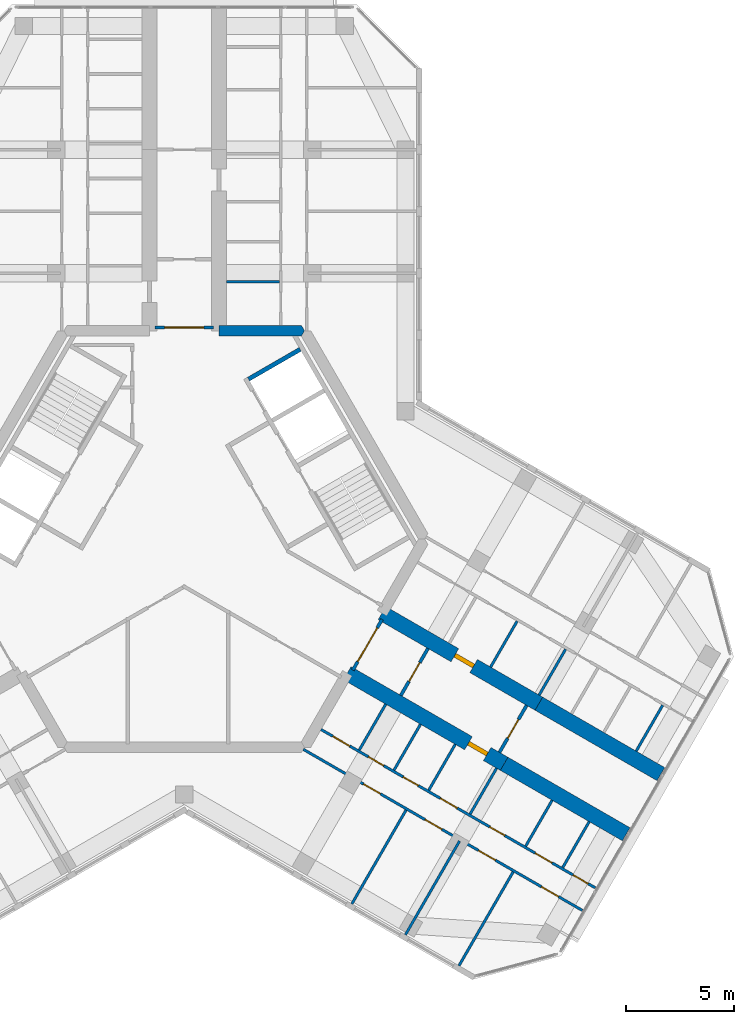
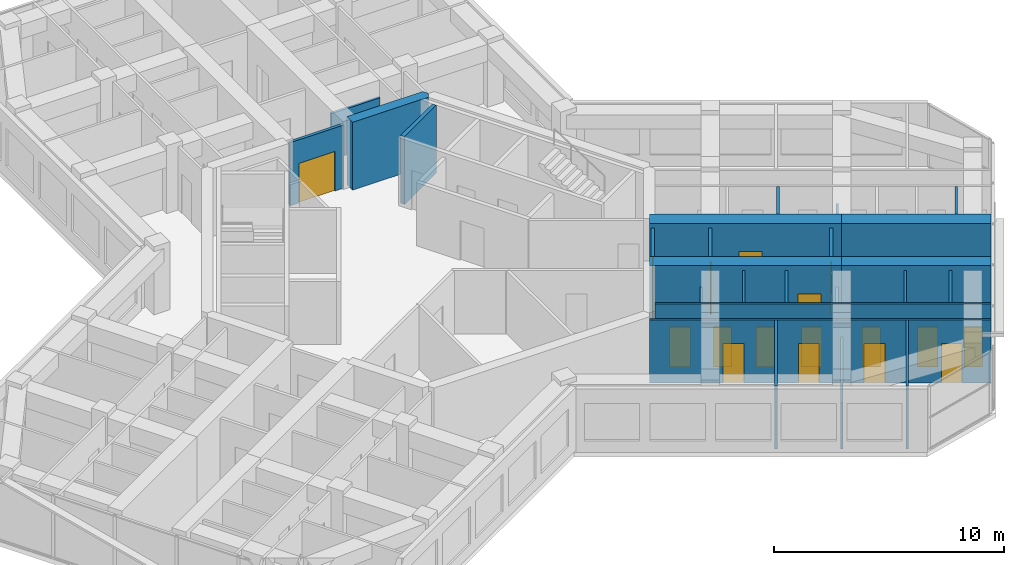
# One storey, part 10 of 14: 25 walls, 17 doors, 17 openings.
"""IFC4 building model written with IfcOpenShell, lengths in metres."""

from ifc_helpers import new_model, si_unit, direction, frame, frame_2d, origin, place, context, subcontext, project, spatial, polyline, rectangle, outline, extrude, material, layer, layer_set, type_object, element, fill, save


model = new_model("IFC4")

# Units and contexts
model_context = context("Model", 3, precision=1e-05, world=origin(), true_north=direction((0.0, 1.0)))
body_context = subcontext(model_context, "Body", "Model", "MODEL_VIEW")
ifc_project = project(units=[si_unit("LENGTHUNIT", "METRE"), si_unit("AREAUNIT", "SQUARE_METRE"), si_unit("VOLUMEUNIT", "CUBIC_METRE"), si_unit("PLANEANGLEUNIT", "RADIAN"), si_unit("MASSUNIT", "GRAM", prefix="KILO")], contexts=[model_context])

# Site, building, storey
site_placement = place(None, origin())
site = spatial("IfcSite", under=ifc_project, at=site_placement, CompositionType="ELEMENT")
building_placement = place(site_placement, origin())
building = spatial("IfcBuilding", under=site, at=building_placement, Name="Kosmar Iwan School Tower", CompositionType="ELEMENT")
storey_placement = place(building_placement, frame((0.0, 0.0, 289.0)))
storey = spatial("IfcBuildingStorey", under=building, at=storey_placement, Name="L73", CompositionType="ELEMENT", Elevation=289.0)

# Wall
ifc_material_1 = material(Name="Concrete C50/60", Category="concrete")
ifc_layer_1 = layer(ifc_material_1, 0.5)
ifc_layer_set_1 = layer_set([ifc_layer_1], Name="Core wall 500")
wall_type_1 = type_object("IfcWallType", Name="Core wall 500", PredefinedType="SHEAR", material=ifc_layer_set_1)
wall_1_placement = place(storey_placement, origin())
element("IfcWall", 1, at=wall_1_placement, inside=storey, type_object=wall_type_1, Name="Core wall F090a", PredefinedType="SHEAR", context=body_context, shape_type="SweptSolid", body=[
    extrude(outline(polyline([(1.60009765625, 9.35009765625), (5.398193359375, 9.35009765625), (5.54248046875, 9.60009765625), (5.398193359375, 9.85009765625), (1.60009765625, 9.85009765625), (1.60009765625, 9.35009765625)])), origin(), (0.0, 0.0, 1.0), 3.60009765625),
])

# Wall, opening, door
ifc_material_2 = material(Name="Concrete C50/60", Category="concrete")
ifc_layer_2 = layer(ifc_material_2, 0.699951171875)
ifc_layer_set_2 = layer_set([ifc_layer_2], Name="Corridor buttress wall 700")
wall_type_2 = type_object("IfcWallType", Name="Corridor buttress wall 700", PredefinedType="SHEAR", material=ifc_layer_set_2)
wall_2_placement = place(storey_placement, frame((9.11376953125, -3.414306640625, 0.0), z_axis=(0.0, 0.0, 1.0), x_axis=(0.866026859388, -0.499997478812, 0.0)))
wall_2 = element("IfcWall", 2, at=wall_2_placement, inside=storey, type_object=wall_type_2, Name="Corridor wall CL", PredefinedType="SHEAR", context=body_context, shape_type="SweptSolid", body=[
    extrude(rectangle(XDim=8.35009765625, YDim=0.699951171875, at=frame_2d((4.175048828125, 0.0))), origin(), (0.0, 0.0, 1.0), 3.60009765625),
])
opening_1_placement = place(wall_2_placement, frame((3.8798828125, 0.0, 0.0)))
opening_1 = element("IfcOpeningElement", 3, at=opening_1_placement, cuts=wall_2, Name="Opening D1", PredefinedType="OPENING", context=body_context, shape_type="SweptSolid", body=[
    extrude(rectangle(XDim=1.0, YDim=2.10009765625, at=frame_2d((0.5, 1.050048828125))), frame((0.0, 0.362060546875, 0.0), z_axis=(0.0, -1.0, 0.0), x_axis=(1.0, 0.0, 0.0)), (0.0, 0.0, 1.0), 0.723876953125),
])
ifc_material_3 = material(Name="Timber fire door in steel frame", Category="steel")
door_type_1 = type_object("IfcDoorType", Name="Flat entrance door 1000x2100", OperationType="SINGLE_SWING_LEFT", PredefinedType="DOOR", material=ifc_material_3)
door_1_placement = place(opening_1_placement, origin())
door_1 = element("IfcDoor", 4, at=door_1_placement, inside=storey, type_object=door_type_1, Name="Flat L73-CL1 entrance door", OperationType="SINGLE_SWING_LEFT", OverallHeight=2.10009765625, OverallWidth=1.0, PredefinedType="DOOR", context=body_context, shape_type="SweptSolid", body=[
    extrude(rectangle(XDim=1.0, YDim=2.10009765625, at=frame_2d((0.5, 1.050048828125))), frame((0.0, 0.10009765625, 0.0), z_axis=(0.0, -1.0, 0.0), x_axis=(1.0, 0.0, 0.0)), (0.0, 0.0, 1.0), 0.199951171875),
])
fill(opening_1, door_1)

# Wall
wall_3_placement = place(storey_placement, frame((16.34521484375, -7.58935546875, 0.0), z_axis=(0.0, 0.0, 1.0), x_axis=(0.866018451174, -0.500012042081, 0.0)))
element("IfcWall", 5, at=wall_3_placement, inside=storey, type_object=wall_type_2, Name="Corridor wall CL bay 2", PredefinedType="SHEAR", context=body_context, shape_type="SweptSolid", body=[
    extrude(rectangle(XDim=6.494873046875, YDim=0.699951171875, at=frame_2d((3.24755859375, 0.0))), origin(), (0.0, 0.0, 1.0), 3.60009765625),
])

# Wall, opening, door
wall_4_placement = place(storey_placement, frame((7.513916015625, -6.185546875, 0.0), z_axis=(0.0, 0.0, 1.0), x_axis=(0.866019549707, -0.500010139422, 0.0)))
wall_4 = element("IfcWall", 6, at=wall_4_placement, inside=storey, type_object=wall_type_2, Name="Corridor wall CR", PredefinedType="SHEAR", context=body_context, shape_type="SweptSolid", body=[
    extrude(rectangle(XDim=8.349853515625, YDim=0.699951171875, at=frame_2d((4.1748046875, 0.0))), origin(), (0.0, 0.0, 1.0), 3.60009765625),
])
opening_2_placement = place(wall_4_placement, frame((6.449951171875, 0.0, 0.0)))
opening_2 = element("IfcOpeningElement", 7, at=opening_2_placement, cuts=wall_4, Name="Opening D1", PredefinedType="OPENING", context=body_context, shape_type="SweptSolid", body=[
    extrude(rectangle(XDim=1.0, YDim=2.10009765625, at=frame_2d((0.5, 1.050048828125))), frame((0.0, 0.362060546875, 0.0), z_axis=(0.0, -1.0, 0.0), x_axis=(1.0, 0.0, 0.0)), (0.0, 0.0, 1.0), 0.723876953125),
])
door_2_placement = place(opening_2_placement, origin())
door_2 = element("IfcDoor", 8, at=door_2_placement, inside=storey, type_object=door_type_1, Name="Flat L73-CR1 entrance door", OperationType="SINGLE_SWING_RIGHT", OverallHeight=2.10009765625, OverallWidth=1.0, PredefinedType="DOOR", context=body_context, shape_type="SweptSolid", body=[
    extrude(rectangle(XDim=1.0, YDim=2.10009765625, at=frame_2d((0.5, 1.050048828125))), frame((0.0, 0.10009765625, 0.0), z_axis=(0.0, -1.0, 0.0), x_axis=(1.0, 0.0, 0.0)), (0.0, 0.0, 1.0), 0.199951171875),
])
fill(opening_2, door_2)

# Wall
wall_5_placement = place(storey_placement, frame((14.7451171875, -10.360595703125, 0.0), z_axis=(0.0, 0.0, 1.0), x_axis=(0.866027848477, -0.499995765644, 0.0)))
element("IfcWall", 9, at=wall_5_placement, inside=storey, type_object=wall_type_2, Name="Corridor wall CR bay 2", PredefinedType="SHEAR", context=body_context, shape_type="SweptSolid", body=[
    extrude(rectangle(XDim=6.4951171875, YDim=0.699951171875, at=frame_2d((3.24755859375, 0.0))), origin(), (0.0, 0.0, 1.0), 3.60009765625),
])

# Wall, opening, door
ifc_material_4 = material(Name="Gypsum board on steel studs, fire-rated", Category="steel")
ifc_layer_3 = layer(ifc_material_4, 0.14990234375)
ifc_layer_set_3 = layer_set([ifc_layer_3], Name="Corridor end wall 150")
wall_type_3 = type_object("IfcWallType", Name="Corridor end wall 150", PredefinedType="PARTITIONING", material=ifc_layer_set_3)
wall_6_placement = place(storey_placement, frame((14.530517578125, -9.83251953125, 0.0), z_axis=(0.0, 0.0, 1.0), x_axis=(0.500004234368, 0.866022959057, 0.0)))
wall_6 = element("IfcWall", 10, at=wall_6_placement, inside=storey, type_object=wall_type_3, Name="Partition L73-C-CE", PredefinedType="PARTITIONING", context=body_context, shape_type="SweptSolid", body=[
    extrude(rectangle(XDim=2.5, YDim=0.14990234375, at=frame_2d((1.25, 0.0))), origin(), (0.0, 0.0, 1.0), 3.35009765625),
])
opening_3_placement = place(wall_6_placement, frame((0.75, 0.0, 0.0)))
opening_3 = element("IfcOpeningElement", 11, at=opening_3_placement, cuts=wall_6, Name="Opening D13", PredefinedType="OPENING", context=body_context, shape_type="SweptSolid", body=[
    extrude(rectangle(XDim=1.0, YDim=2.10009765625, at=frame_2d((0.5, 1.050048828125))), frame((0.0, 0.0869140625, 0.0), z_axis=(0.0, -1.0, 0.0), x_axis=(1.0, 0.0, 0.0)), (0.0, 0.0, 1.0), 0.173828125),
])
ifc_material_5 = material(Name="Timber fire door with vision panel", Category="wood")
door_type_2 = type_object("IfcDoorType", Name="Corridor end door 1000x2100", OperationType="SINGLE_SWING_LEFT", PredefinedType="DOOR", material=ifc_material_5)
door_3_placement = place(opening_3_placement, origin())
door_3 = element("IfcDoor", 12, at=door_3_placement, inside=storey, type_object=door_type_2, Name="Reading room door L73-C", OperationType="SINGLE_SWING_LEFT", OverallHeight=2.10009765625, OverallWidth=1.0, PredefinedType="DOOR", context=body_context, shape_type="SweptSolid", body=[
    extrude(rectangle(XDim=1.0, YDim=2.10009765625, at=frame_2d((0.5, 1.050048828125))), frame((0.0, 0.02490234375, 0.0), z_axis=(0.0, -1.0, 0.0), x_axis=(1.0, 0.0, 0.0)), (0.0, 0.0, 1.0), 0.050048828125),
])
fill(opening_3, door_3)

wall_7_placement = place(storey_placement, frame((9.98388671875, -7.20751953125, 0.0), z_axis=(0.0, 0.0, 1.0), x_axis=(0.500004234368, 0.866022959057, 0.0)))
wall_7 = element("IfcWall", 13, at=wall_7_placement, inside=storey, type_object=wall_type_3, Name="Partition L73-C-HW", PredefinedType="PARTITIONING", context=body_context, shape_type="SweptSolid", body=[
    extrude(rectangle(XDim=2.5, YDim=0.14990234375, at=frame_2d((1.25, 0.0))), origin(), (0.0, 0.0, 1.0), 3.35009765625),
])
opening_4_placement = place(wall_7_placement, frame((0.75, 0.0, 0.0)))
opening_4 = element("IfcOpeningElement", 14, at=opening_4_placement, cuts=wall_7, Name="Opening D13", PredefinedType="OPENING", context=body_context, shape_type="SweptSolid", body=[
    extrude(rectangle(XDim=1.0, YDim=2.10009765625, at=frame_2d((0.5, 1.050048828125))), frame((0.0, 0.0869140625, 0.0), z_axis=(0.0, -1.0, 0.0), x_axis=(1.0, 0.0, 0.0)), (0.0, 0.0, 1.0), 0.173828125),
])
door_4_placement = place(opening_4_placement, origin())
door_4 = element("IfcDoor", 15, at=door_4_placement, inside=storey, type_object=door_type_2, Name="Entrance door L73-C", OperationType="SINGLE_SWING_RIGHT", OverallHeight=2.10009765625, OverallWidth=1.0, PredefinedType="DOOR", context=body_context, shape_type="SweptSolid", body=[
    extrude(rectangle(XDim=1.0, YDim=2.10009765625, at=frame_2d((0.5, 1.050048828125))), frame((0.0, 0.02490234375, 0.0), z_axis=(0.0, -1.0, 0.0), x_axis=(1.0, 0.0, 0.0)), (0.0, 0.0, 1.0), 0.050048828125),
])
fill(opening_4, door_4)

ifc_material_6 = material(Name="Steel framed glazed screen", Category="steel")
ifc_layer_4 = layer(ifc_material_6, 0.14990234375)
ifc_layer_set_4 = layer_set([ifc_layer_4], Name="Corridor screen wall 150")
wall_type_4 = type_object("IfcWallType", Name="Corridor screen wall 150", PredefinedType="PARTITIONING", material=ifc_layer_set_4)
wall_8_placement = place(storey_placement, frame((1.35009765625, 9.75, 0.0), z_axis=(0.0, 0.0, 1.0), x_axis=(-1.0, 0.0, 0.0)))
wall_8 = element("IfcWall", 16, at=wall_8_placement, inside=storey, type_object=wall_type_4, Name="Corridor screen A L73", PredefinedType="PARTITIONING", context=body_context, shape_type="SweptSolid", body=[
    extrude(rectangle(XDim=2.7001953125, YDim=0.14990234375, at=frame_2d((1.35009765625, 0.0))), origin(), (0.0, 0.0, 1.0), 3.35009765625),
])
opening_5_placement = place(wall_8_placement, frame((0.449951171875, 0.0, 0.0)))
opening_5 = element("IfcOpeningElement", 17, at=opening_5_placement, cuts=wall_8, Name="Opening D9", PredefinedType="OPENING", context=body_context, shape_type="SweptSolid", body=[
    extrude(rectangle(XDim=1.800048828125, YDim=2.10009765625, at=frame_2d((0.89990234375, 1.050048828125))), frame((0.0, 0.0869140625, 0.0), z_axis=(0.0, -1.0, 0.0), x_axis=(1.0, 0.0, 0.0)), (0.0, 0.0, 1.0), 0.173828125),
])
ifc_material_7 = material(Name="Steel framed glazed smoke door", Category="steel")
door_type_3 = type_object("IfcDoorType", Name="Corridor smoke door pair 1800x2100", OperationType="DOUBLE_DOOR_DOUBLE_SWING", PredefinedType="DOOR", material=ifc_material_7)
door_5_placement = place(opening_5_placement, origin())
door_5 = element("IfcDoor", 18, at=door_5_placement, inside=storey, type_object=door_type_3, Name="Corridor doors A L73", OperationType="DOUBLE_DOOR_DOUBLE_SWING", OverallHeight=2.10009765625, OverallWidth=1.800048828125, PredefinedType="DOOR", context=body_context, shape_type="SweptSolid", body=[
    extrude(rectangle(XDim=1.800048828125, YDim=2.10009765625, at=frame_2d((0.89990234375, 1.050048828125))), frame((0.0, 0.02490234375, 0.0), z_axis=(0.0, -1.0, 0.0), x_axis=(1.0, 0.0, 0.0)), (0.0, 0.0, 1.0), 0.050048828125),
])
fill(opening_5, door_5)

wall_9_placement = place(storey_placement, frame((7.768798828125, -6.044189453125, 0.0), z_axis=(0.0, 0.0, 1.0), x_axis=(0.4999416173, 0.866059108428, 0.0)))
wall_9 = element("IfcWall", 19, at=wall_9_placement, inside=storey, type_object=wall_type_4, Name="Corridor screen C L73", PredefinedType="PARTITIONING", context=body_context, shape_type="SweptSolid", body=[
    extrude(rectangle(XDim=2.699951171875, YDim=0.14990234375, at=frame_2d((1.35009765625, 0.0))), origin(), (0.0, 0.0, 1.0), 3.35009765625),
])
opening_6_placement = place(wall_9_placement, frame((0.449951171875, 0.0, 0.0)))
opening_6 = element("IfcOpeningElement", 20, at=opening_6_placement, cuts=wall_9, Name="Opening D9", PredefinedType="OPENING", context=body_context, shape_type="SweptSolid", body=[
    extrude(rectangle(XDim=1.800048828125, YDim=2.10009765625, at=frame_2d((0.89990234375, 1.050048828125))), frame((0.0, 0.0869140625, 0.0), z_axis=(0.0, -1.0, 0.0), x_axis=(1.0, 0.0, 0.0)), (0.0, 0.0, 1.0), 0.173828125),
])
door_6_placement = place(opening_6_placement, origin())
door_6 = element("IfcDoor", 21, at=door_6_placement, inside=storey, type_object=door_type_3, Name="Corridor doors C L73", OperationType="DOUBLE_DOOR_DOUBLE_SWING", OverallHeight=2.10009765625, OverallWidth=1.800048828125, PredefinedType="DOOR", context=body_context, shape_type="SweptSolid", body=[
    extrude(rectangle(XDim=1.800048828125, YDim=2.10009765625, at=frame_2d((0.89990234375, 1.050048828125))), frame((0.0, 0.02490234375, 0.0), z_axis=(0.0, -1.0, 0.0), x_axis=(1.0, 0.0, 0.0)), (0.0, 0.0, 1.0), 0.050048828125),
])
fill(opening_6, door_6)

# Walls
ifc_material_8 = material(Name="Gypsum board on steel studs", Category="steel")
ifc_layer_5 = layer(ifc_material_8, 0.1201171875)
ifc_layer_set_5 = layer_set([ifc_layer_5], Name="Dwelling partition 120")
wall_type_5 = type_object("IfcWallType", Name="Dwelling partition 120", PredefinedType="PARTITIONING", material=ifc_layer_set_5)
wall_10_placement = place(storey_placement, frame((1.949951171875, 11.85009765625, 0.0), z_axis=(0.0, 0.0, 1.0), x_axis=(1.0, 0.0, 0.0)))
element("IfcWall", 22, at=wall_10_placement, inside=storey, type_object=wall_type_5, Name="Partition L73-AR1-Y1", PredefinedType="PARTITIONING", context=body_context, shape_type="SweptSolid", body=[
    extrude(rectangle(XDim=2.43994140625, YDim=0.1201171875, at=frame_2d((1.219970703125, 0.0))), origin(), (0.0, 0.0, 1.0), 2.449951171875),
])
wall_11_placement = place(storey_placement, frame((14.121337890625, -5.9013671875, 0.0), z_axis=(0.0, 0.0, 1.0), x_axis=(0.499959183527, 0.866048967903, 0.0)))
element("IfcWall", 23, at=wall_11_placement, inside=storey, type_object=wall_type_5, Name="Partition L73-CL1-Y2", PredefinedType="PARTITIONING", context=body_context, shape_type="SweptSolid", body=[
    extrude(rectangle(XDim=2.440185546875, YDim=0.1201171875, at=frame_2d((1.22021484375, 0.0))), origin(), (0.0, 0.0, 1.0), 3.35009765625),
])
wall_12_placement = place(storey_placement, frame((16.35791015625, -7.192626953125, 0.0), z_axis=(0.0, 0.0, 1.0), x_axis=(0.500002508028, 0.866023955769, 0.0)))
element("IfcWall", 24, at=wall_12_placement, inside=storey, type_object=wall_type_5, Name="Partition L73-CL1-Y3", PredefinedType="PARTITIONING", context=body_context, shape_type="SweptSolid", body=[
    extrude(rectangle(XDim=2.43994140625, YDim=0.1201171875, at=frame_2d((1.219970703125, 0.0))), origin(), (0.0, 0.0, 1.0), 2.449951171875),
])
wall_13_placement = place(storey_placement, frame((20.831298828125, -9.775390625, 0.0), z_axis=(0.0, 0.0, 1.0), x_axis=(0.500034220881, 0.866005645448, 0.0)))
element("IfcWall", 25, at=wall_13_placement, inside=storey, type_object=wall_type_5, Name="Partition L73-CL1-Y6", PredefinedType="PARTITIONING", context=body_context, shape_type="SweptSolid", body=[
    extrude(rectangle(XDim=2.440185546875, YDim=0.1201171875, at=frame_2d((1.22021484375, 0.0))), origin(), (0.0, 0.0, 1.0), 3.35009765625),
])

# Wall, openings, doors
wall_14_placement = place(storey_placement, frame((6.305419921875, -8.77880859375, 0.0), z_axis=(0.0, 0.0, 1.0), x_axis=(0.866022348096, -0.50000529257, 0.0)))
wall_14 = element("IfcWall", 26, at=wall_14_placement, inside=storey, type_object=wall_type_5, Name="Partition L73-CR1-W1", PredefinedType="PARTITIONING", context=body_context, shape_type="SweptSolid", body=[
    extrude(rectangle(XDim=14.594970703125, YDim=0.1201171875, at=frame_2d((7.29736328125, 0.0))), origin(), (0.0, 0.0, 1.0), 3.35009765625),
])
opening_7_placement = place(wall_14_placement, frame((0.625, 0.0, 0.0)))
opening_7 = element("IfcOpeningElement", 27, at=opening_7_placement, cuts=wall_14, Name="Opening D2", PredefinedType="OPENING", context=body_context, shape_type="SweptSolid", body=[
    extrude(rectangle(XDim=0.89990234375, YDim=2.10009765625, at=frame_2d((0.449951171875, 1.050048828125))), frame((0.0, 0.072021484375, 0.0), z_axis=(0.0, -1.0, 0.0), x_axis=(1.0, 0.0, 0.0)), (0.0, 0.0, 1.0), 0.14404296875),
])
opening_8_placement = place(wall_14_placement, frame((2.52490234375, 0.0, 0.0)))
opening_8 = element("IfcOpeningElement", 28, at=opening_8_placement, cuts=wall_14, Name="Opening D3", PredefinedType="OPENING", context=body_context, shape_type="SweptSolid", body=[
    extrude(rectangle(XDim=0.800048828125, YDim=2.10009765625, at=frame_2d((0.39990234375, 1.050048828125))), frame((0.0, 0.072021484375, 0.0), z_axis=(0.0, -1.0, 0.0), x_axis=(1.0, 0.0, 0.0)), (0.0, 0.0, 1.0), 0.14404296875),
])
opening_9_placement = place(wall_14_placement, frame((4.375, 0.0, 0.0)))
opening_9 = element("IfcOpeningElement", 29, at=opening_9_placement, cuts=wall_14, Name="Opening D3", PredefinedType="OPENING", context=body_context, shape_type="SweptSolid", body=[
    extrude(rectangle(XDim=0.800048828125, YDim=2.10009765625, at=frame_2d((0.39990234375, 1.050048828125))), frame((0.0, 0.072021484375, 0.0), z_axis=(0.0, -1.0, 0.0), x_axis=(1.0, 0.0, 0.0)), (0.0, 0.0, 1.0), 0.14404296875),
])
opening_10_placement = place(wall_14_placement, frame((6.35009765625, 0.0, 0.0)))
opening_10 = element("IfcOpeningElement", 30, at=opening_10_placement, cuts=wall_14, Name="Opening D2", PredefinedType="OPENING", context=body_context, shape_type="SweptSolid", body=[
    extrude(rectangle(XDim=0.89990234375, YDim=2.10009765625, at=frame_2d((0.449951171875, 1.050048828125))), frame((0.0, 0.072021484375, 0.0), z_axis=(0.0, -1.0, 0.0), x_axis=(1.0, 0.0, 0.0)), (0.0, 0.0, 1.0), 0.14404296875),
])
opening_11_placement = place(wall_14_placement, frame((8.978515625, 0.0, 0.0)))
opening_11 = element("IfcOpeningElement", 31, at=opening_11_placement, cuts=wall_14, Name="Opening D3", PredefinedType="OPENING", context=body_context, shape_type="SweptSolid", body=[
    extrude(rectangle(XDim=0.800048828125, YDim=2.10009765625, at=frame_2d((0.39990234375, 1.050048828125))), frame((0.0, 0.072021484375, 0.0), z_axis=(0.0, -1.0, 0.0), x_axis=(1.0, 0.0, 0.0)), (0.0, 0.0, 1.0), 0.14404296875),
])
opening_12_placement = place(wall_14_placement, frame((11.392822265625, 0.0, 0.0)))
opening_12 = element("IfcOpeningElement", 32, at=opening_12_placement, cuts=wall_14, Name="Opening D2", PredefinedType="OPENING", context=body_context, shape_type="SweptSolid", body=[
    extrude(rectangle(XDim=0.89990234375, YDim=2.10009765625, at=frame_2d((0.449951171875, 1.050048828125))), frame((0.0, 0.072021484375, 0.0), z_axis=(0.0, -1.0, 0.0), x_axis=(1.0, 0.0, 0.0)), (0.0, 0.0, 1.0), 0.14404296875),
])
opening_13_placement = place(wall_14_placement, frame((13.414306640625, 0.0, 0.0)))
opening_13 = element("IfcOpeningElement", 33, at=opening_13_placement, cuts=wall_14, Name="Opening D3", PredefinedType="OPENING", context=body_context, shape_type="SweptSolid", body=[
    extrude(rectangle(XDim=0.800048828125, YDim=2.10009765625, at=frame_2d((0.39990234375, 1.050048828125))), frame((0.0, 0.072021484375, 0.0), z_axis=(0.0, -1.0, 0.0), x_axis=(1.0, 0.0, 0.0)), (0.0, 0.0, 1.0), 0.14404296875),
])
ifc_material_9 = material(Name="Timber door in timber frame", Category="wood")
door_type_4 = type_object("IfcDoorType", Name="Internal door 900x2100", OperationType="SINGLE_SWING_LEFT", PredefinedType="DOOR", material=ifc_material_9)
door_7_placement = place(opening_7_placement, origin())
door_7 = element("IfcDoor", 34, at=door_7_placement, inside=storey, type_object=door_type_4, Name="Utility room door L73-CR1-S1", OperationType="SINGLE_SWING_RIGHT", OverallHeight=2.10009765625, OverallWidth=0.89990234375, PredefinedType="DOOR", context=body_context, shape_type="SweptSolid", body=[
    extrude(rectangle(XDim=0.89990234375, YDim=2.10009765625, at=frame_2d((0.449951171875, 1.050048828125))), frame((0.0, 0.02490234375, 0.0), z_axis=(0.0, -1.0, 0.0), x_axis=(1.0, 0.0, 0.0)), (0.0, 0.0, 1.0), 0.050048828125),
])
fill(opening_7, door_7)
door_8_placement = place(opening_10_placement, origin())
door_8 = element("IfcDoor", 35, at=door_8_placement, inside=storey, type_object=door_type_4, Name="Entrance hall door L73-CR1-S4", OperationType="SINGLE_SWING_LEFT", OverallHeight=2.10009765625, OverallWidth=0.89990234375, PredefinedType="DOOR", context=body_context, shape_type="SweptSolid", body=[
    extrude(rectangle(XDim=0.89990234375, YDim=2.10009765625, at=frame_2d((0.449951171875, 1.050048828125))), frame((0.0, 0.02490234375, 0.0), z_axis=(0.0, -1.0, 0.0), x_axis=(1.0, 0.0, 0.0)), (0.0, 0.0, 1.0), 0.050048828125),
])
fill(opening_10, door_8)
door_9_placement = place(opening_12_placement, origin())
door_9 = element("IfcDoor", 36, at=door_9_placement, inside=storey, type_object=door_type_4, Name="Pantry door L73-CR1-S6", OperationType="SINGLE_SWING_LEFT", OverallHeight=2.10009765625, OverallWidth=0.89990234375, PredefinedType="DOOR", context=body_context, shape_type="SweptSolid", body=[
    extrude(rectangle(XDim=0.89990234375, YDim=2.10009765625, at=frame_2d((0.449951171875, 1.050048828125))), frame((0.0, 0.02490234375, 0.0), z_axis=(0.0, -1.0, 0.0), x_axis=(1.0, 0.0, 0.0)), (0.0, 0.0, 1.0), 0.050048828125),
])
fill(opening_12, door_9)
ifc_material_10 = material(Name="Timber door in timber frame", Category="wood")
door_type_5 = type_object("IfcDoorType", Name="Sanitary room door 800x2100", OperationType="SINGLE_SWING_LEFT", PredefinedType="DOOR", material=ifc_material_10)
door_10_placement = place(opening_8_placement, origin())
door_10 = element("IfcDoor", 37, at=door_10_placement, inside=storey, type_object=door_type_5, Name="WC door L73-CR1-S2", OperationType="SINGLE_SWING_LEFT", OverallHeight=2.10009765625, OverallWidth=0.800048828125, PredefinedType="DOOR", context=body_context, shape_type="SweptSolid", body=[
    extrude(rectangle(XDim=0.800048828125, YDim=2.10009765625, at=frame_2d((0.39990234375, 1.050048828125))), frame((0.0, 0.02490234375, 0.0), z_axis=(0.0, -1.0, 0.0), x_axis=(1.0, 0.0, 0.0)), (0.0, 0.0, 1.0), 0.050048828125),
])
fill(opening_8, door_10)
door_11_placement = place(opening_9_placement, origin())
door_11 = element("IfcDoor", 38, at=door_11_placement, inside=storey, type_object=door_type_5, Name="Shower room door L73-CR1-S3", OperationType="SINGLE_SWING_RIGHT", OverallHeight=2.10009765625, OverallWidth=0.800048828125, PredefinedType="DOOR", context=body_context, shape_type="SweptSolid", body=[
    extrude(rectangle(XDim=0.800048828125, YDim=2.10009765625, at=frame_2d((0.39990234375, 1.050048828125))), frame((0.0, 0.02490234375, 0.0), z_axis=(0.0, -1.0, 0.0), x_axis=(1.0, 0.0, 0.0)), (0.0, 0.0, 1.0), 0.050048828125),
])
fill(opening_9, door_11)
door_12_placement = place(opening_11_placement, origin())
door_12 = element("IfcDoor", 39, at=door_12_placement, inside=storey, type_object=door_type_5, Name="Bathroom door L73-CR1-S5", OperationType="SINGLE_SWING_RIGHT", OverallHeight=2.10009765625, OverallWidth=0.800048828125, PredefinedType="DOOR", context=body_context, shape_type="SweptSolid", body=[
    extrude(rectangle(XDim=0.800048828125, YDim=2.10009765625, at=frame_2d((0.39990234375, 1.050048828125))), frame((0.0, 0.02490234375, 0.0), z_axis=(0.0, -1.0, 0.0), x_axis=(1.0, 0.0, 0.0)), (0.0, 0.0, 1.0), 0.050048828125),
])
fill(opening_11, door_12)
door_13_placement = place(opening_13_placement, origin())
door_13 = element("IfcDoor", 40, at=door_13_placement, inside=storey, type_object=door_type_5, Name="Store door L73-CR1-S7", OperationType="SINGLE_SWING_RIGHT", OverallHeight=2.10009765625, OverallWidth=0.800048828125, PredefinedType="DOOR", context=body_context, shape_type="SweptSolid", body=[
    extrude(rectangle(XDim=0.800048828125, YDim=2.10009765625, at=frame_2d((0.39990234375, 1.050048828125))), frame((0.0, 0.02490234375, 0.0), z_axis=(0.0, -1.0, 0.0), x_axis=(1.0, 0.0, 0.0)), (0.0, 0.0, 1.0), 0.050048828125),
])
fill(opening_13, door_13)

wall_15_placement = place(storey_placement, frame((5.48876953125, -9.693115234375, 0.0), z_axis=(0.0, 0.0, 1.0), x_axis=(0.866030301974, -0.499991515992, 0.0)))
wall_15 = element("IfcWall", 41, at=wall_15_placement, inside=storey, type_object=wall_type_5, Name="Partition L73-CR1-W2", PredefinedType="PARTITIONING", context=body_context, shape_type="SweptSolid", body=[
    extrude(rectangle(XDim=14.844970703125, YDim=0.1201171875, at=frame_2d((7.42236328125, 0.0))), origin(), (0.0, 0.0, 1.0), 3.35009765625),
])
opening_14_placement = place(wall_15_placement, frame((3.199951171875, 0.0, 0.0)))
opening_14 = element("IfcOpeningElement", 42, at=opening_14_placement, cuts=wall_15, Name="Opening D2", PredefinedType="OPENING", context=body_context, shape_type="SweptSolid", body=[
    extrude(rectangle(XDim=0.89990234375, YDim=2.10009765625, at=frame_2d((0.449951171875, 1.050048828125))), frame((0.0, 0.072021484375, 0.0), z_axis=(0.0, -1.0, 0.0), x_axis=(1.0, 0.0, 0.0)), (0.0, 0.0, 1.0), 0.14404296875),
])
opening_15_placement = place(wall_15_placement, frame((6.47509765625, 0.0, 0.0)))
opening_15 = element("IfcOpeningElement", 43, at=opening_15_placement, cuts=wall_15, Name="Opening D2", PredefinedType="OPENING", context=body_context, shape_type="SweptSolid", body=[
    extrude(rectangle(XDim=0.89990234375, YDim=2.10009765625, at=frame_2d((0.449951171875, 1.050048828125))), frame((0.0, 0.072021484375, 0.0), z_axis=(0.0, -1.0, 0.0), x_axis=(1.0, 0.0, 0.0)), (0.0, 0.0, 1.0), 0.14404296875),
])
opening_16_placement = place(wall_15_placement, frame((9.324951171875, 0.0, 0.0)))
opening_16 = element("IfcOpeningElement", 44, at=opening_16_placement, cuts=wall_15, Name="Opening D2", PredefinedType="OPENING", context=body_context, shape_type="SweptSolid", body=[
    extrude(rectangle(XDim=0.89990234375, YDim=2.10009765625, at=frame_2d((0.449951171875, 1.050048828125))), frame((0.0, 0.072021484375, 0.0), z_axis=(0.0, -1.0, 0.0), x_axis=(1.0, 0.0, 0.0)), (0.0, 0.0, 1.0), 0.14404296875),
])
opening_17_placement = place(wall_15_placement, frame((12.675048828125, 0.0, 0.0)))
opening_17 = element("IfcOpeningElement", 45, at=opening_17_placement, cuts=wall_15, Name="Opening D2", PredefinedType="OPENING", context=body_context, shape_type="SweptSolid", body=[
    extrude(rectangle(XDim=0.89990234375, YDim=2.10009765625, at=frame_2d((0.449951171875, 1.050048828125))), frame((0.0, 0.072021484375, 0.0), z_axis=(0.0, -1.0, 0.0), x_axis=(1.0, 0.0, 0.0)), (0.0, 0.0, 1.0), 0.14404296875),
])
door_14_placement = place(opening_14_placement, origin())
door_14 = element("IfcDoor", 46, at=door_14_placement, inside=storey, type_object=door_type_4, Name="Kitchen and dining room door L73-CR1-F1", OperationType="SINGLE_SWING_LEFT", OverallHeight=2.10009765625, OverallWidth=0.89990234375, PredefinedType="DOOR", context=body_context, shape_type="SweptSolid", body=[
    extrude(rectangle(XDim=0.89990234375, YDim=2.10009765625, at=frame_2d((0.449951171875, 1.050048828125))), frame((0.0, 0.02490234375, 0.0), z_axis=(0.0, -1.0, 0.0), x_axis=(1.0, 0.0, 0.0)), (0.0, 0.0, 1.0), 0.050048828125),
])
fill(opening_14, door_14)
door_15_placement = place(opening_15_placement, origin())
door_15 = element("IfcDoor", 47, at=door_15_placement, inside=storey, type_object=door_type_4, Name="Living room door L73-CR1-F2", OperationType="SINGLE_SWING_LEFT", OverallHeight=2.10009765625, OverallWidth=0.89990234375, PredefinedType="DOOR", context=body_context, shape_type="SweptSolid", body=[
    extrude(rectangle(XDim=0.89990234375, YDim=2.10009765625, at=frame_2d((0.449951171875, 1.050048828125))), frame((0.0, 0.02490234375, 0.0), z_axis=(0.0, -1.0, 0.0), x_axis=(1.0, 0.0, 0.0)), (0.0, 0.0, 1.0), 0.050048828125),
])
fill(opening_15, door_15)
door_16_placement = place(opening_16_placement, origin())
door_16 = element("IfcDoor", 48, at=door_16_placement, inside=storey, type_object=door_type_4, Name="Bedroom 2 door L73-CR1-F3", OperationType="SINGLE_SWING_RIGHT", OverallHeight=2.10009765625, OverallWidth=0.89990234375, PredefinedType="DOOR", context=body_context, shape_type="SweptSolid", body=[
    extrude(rectangle(XDim=0.89990234375, YDim=2.10009765625, at=frame_2d((0.449951171875, 1.050048828125))), frame((0.0, 0.02490234375, 0.0), z_axis=(0.0, -1.0, 0.0), x_axis=(1.0, 0.0, 0.0)), (0.0, 0.0, 1.0), 0.050048828125),
])
fill(opening_16, door_16)
door_17_placement = place(opening_17_placement, origin())
door_17 = element("IfcDoor", 49, at=door_17_placement, inside=storey, type_object=door_type_4, Name="Bedroom 1 door L73-CR1-F4", OperationType="SINGLE_SWING_RIGHT", OverallHeight=2.10009765625, OverallWidth=0.89990234375, PredefinedType="DOOR", context=body_context, shape_type="SweptSolid", body=[
    extrude(rectangle(XDim=0.89990234375, YDim=2.10009765625, at=frame_2d((0.449951171875, 1.050048828125))), frame((0.0, 0.02490234375, 0.0), z_axis=(0.0, -1.0, 0.0), x_axis=(1.0, 0.0, 0.0)), (0.0, 0.0, 1.0), 0.050048828125),
])
fill(opening_17, door_17)

# Walls
wall_16_placement = place(storey_placement, frame((10.221923828125, -12.4951171875, 0.0), z_axis=(0.0, 0.0, 1.0), x_axis=(-0.499996339024, -0.86602751744, 0.0)))
element("IfcWall", 50, at=wall_16_placement, inside=storey, type_object=wall_type_5, Name="Partition L73-CR1-X1", PredefinedType="PARTITIONING", context=body_context, shape_type="SweptSolid", body=[
    extrude(rectangle(XDim=4.98974609375, YDim=0.1201171875, at=frame_2d((2.494873046875, 0.0))), origin(), (0.0, 0.0, 1.0), 3.35009765625),
])
wall_17_placement = place(storey_placement, frame((12.690185546875, -13.919921875, 0.0), z_axis=(0.0, 0.0, 1.0), x_axis=(-0.500011847778, -0.866018563358, 0.0)))
element("IfcWall", 51, at=wall_17_placement, inside=storey, type_object=wall_type_5, Name="Partition L73-CR1-X2", PredefinedType="PARTITIONING", context=body_context, shape_type="SweptSolid", body=[
    extrude(rectangle(XDim=4.990234375, YDim=0.1201171875, at=frame_2d((2.4951171875, 0.0))), origin(), (0.0, 0.0, 1.0), 2.449951171875),
])
wall_18_placement = place(storey_placement, frame((15.158447265625, -15.344970703125, 0.0), z_axis=(0.0, 0.0, 1.0), x_axis=(-0.500011847778, -0.866018563358, 0.0)))
element("IfcWall", 52, at=wall_18_placement, inside=storey, type_object=wall_type_5, Name="Partition L73-CR1-X3", PredefinedType="PARTITIONING", context=body_context, shape_type="SweptSolid", body=[
    extrude(rectangle(XDim=4.990234375, YDim=0.1201171875, at=frame_2d((2.4951171875, 0.0))), origin(), (0.0, 0.0, 1.0), 3.35009765625),
])
wall_19_placement = place(storey_placement, frame((9.287353515625, -7.61376953125, 0.0), z_axis=(0.0, 0.0, 1.0), x_axis=(-0.500002508028, -0.866023955769, 0.0)))
element("IfcWall", 53, at=wall_19_placement, inside=storey, type_object=wall_type_5, Name="Partition L73-CR1-Y1", PredefinedType="PARTITIONING", context=body_context, shape_type="SweptSolid", body=[
    extrude(rectangle(XDim=2.43994140625, YDim=0.1201171875, at=frame_2d((1.219970703125, 0.0))), origin(), (0.0, 0.0, 1.0), 2.449951171875),
])
wall_20_placement = place(storey_placement, frame((10.8896484375, -8.538818359375, 0.0), z_axis=(0.0, 0.0, 1.0), x_axis=(-0.500077547548, -0.865980627057, 0.0)))
element("IfcWall", 54, at=wall_20_placement, inside=storey, type_object=wall_type_5, Name="Partition L73-CR1-Y2", PredefinedType="PARTITIONING", context=body_context, shape_type="SweptSolid", body=[
    extrude(rectangle(XDim=2.43994140625, YDim=0.1201171875, at=frame_2d((1.219970703125, 0.0))), origin(), (0.0, 0.0, 1.0), 3.35009765625),
])
wall_21_placement = place(storey_placement, frame((12.49169921875, -9.463623046875, 0.0), z_axis=(0.0, 0.0, 1.0), x_axis=(-0.499959183527, -0.866048967903, 0.0)))
element("IfcWall", 55, at=wall_21_placement, inside=storey, type_object=wall_type_5, Name="Partition L73-CR1-Y3", PredefinedType="PARTITIONING", context=body_context, shape_type="SweptSolid", body=[
    extrude(rectangle(XDim=2.440185546875, YDim=0.1201171875, at=frame_2d((1.22021484375, 0.0))), origin(), (0.0, 0.0, 1.0), 3.35009765625),
])
wall_22_placement = place(storey_placement, frame((14.39697265625, -10.563720703125, 0.0), z_axis=(0.0, 0.0, 1.0), x_axis=(-0.500002508028, -0.866023955769, 0.0)))
element("IfcWall", 56, at=wall_22_placement, inside=storey, type_object=wall_type_5, Name="Partition L73-CR1-Y4", PredefinedType="PARTITIONING", context=body_context, shape_type="SweptSolid", body=[
    extrude(rectangle(XDim=2.43994140625, YDim=0.1201171875, at=frame_2d((1.219970703125, 0.0))), origin(), (0.0, 0.0, 1.0), 2.449951171875),
])
wall_23_placement = place(storey_placement, frame((16.9580078125, -12.042236328125, 0.0), z_axis=(0.0, 0.0, 1.0), x_axis=(-0.500034220881, -0.866005645448, 0.0)))
element("IfcWall", 57, at=wall_23_placement, inside=storey, type_object=wall_type_5, Name="Partition L73-CR1-Y5", PredefinedType="PARTITIONING", context=body_context, shape_type="SweptSolid", body=[
    extrude(rectangle(XDim=2.440185546875, YDim=0.1201171875, at=frame_2d((1.22021484375, 0.0))), origin(), (0.0, 0.0, 1.0), 3.35009765625),
])
wall_24_placement = place(storey_placement, frame((18.665283203125, -13.028076171875, 0.0), z_axis=(0.0, 0.0, 1.0), x_axis=(-0.500002508028, -0.866023955769, 0.0)))
element("IfcWall", 58, at=wall_24_placement, inside=storey, type_object=wall_type_5, Name="Partition L73-CR1-Y6", PredefinedType="PARTITIONING", context=body_context, shape_type="SweptSolid", body=[
    extrude(rectangle(XDim=2.43994140625, YDim=0.1201171875, at=frame_2d((1.219970703125, 0.0))), origin(), (0.0, 0.0, 1.0), 3.35009765625),
])
ifc_material_11 = material(Name="Concrete C50/60", Category="concrete")
ifc_layer_6 = layer(ifc_material_11, 0.199951171875)
ifc_layer_set_6 = layer_set([ifc_layer_6], Name="Lift shaft wall 200")
wall_type_6 = type_object("IfcWallType", Name="Lift shaft wall 200", PredefinedType="SHEAR", material=ifc_layer_set_6)
wall_25_placement = place(storey_placement, frame((2.962646484375, 7.368408203125, 0.0), z_axis=(0.0, 0.0, 1.0), x_axis=(0.866027397988, 0.499996545922, 0.0)))
element("IfcWall", 59, at=wall_25_placement, inside=storey, type_object=wall_type_6, Name="Lift shaft wall AC 2", PredefinedType="SHEAR", context=body_context, shape_type="SweptSolid", body=[
    extrude(rectangle(XDim=2.75, YDim=0.199951171875, at=frame_2d((1.375, 0.0))), origin(), (0.0, 0.0, 1.0), 3.60009765625),
])

save(model, "model.ifc")
